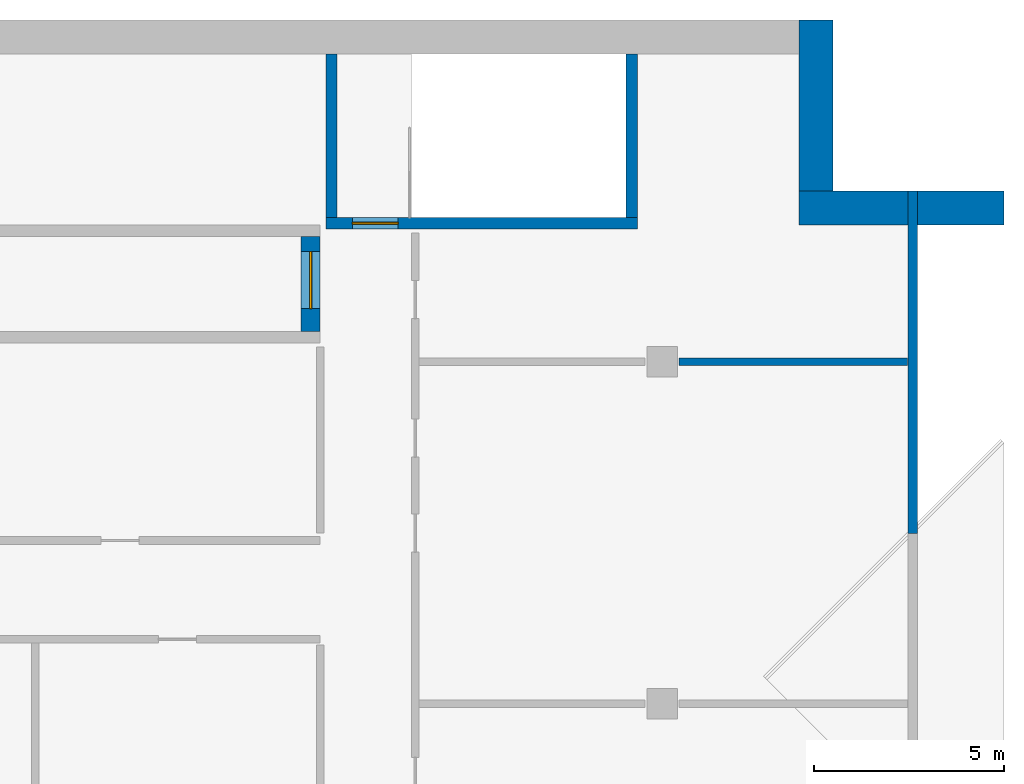
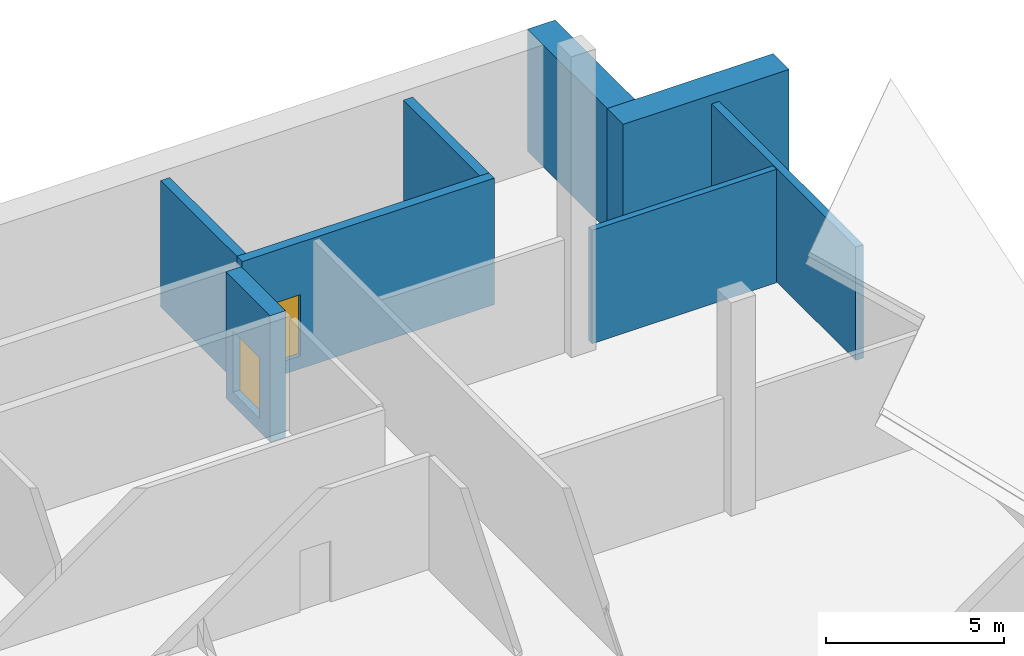
# One storey, part 4 of 5: 8 walls, 2 doors, 2 openings.
"""IFC4 building model written with IfcOpenShell, lengths in metres."""

import ifcopenshell
import ifcopenshell.guid

model = None  # the IFC model being written
_history = None  # IfcOwnerHistory: only IFC2X3 demands one
_inside = {}  # id of a spatial element -> (the spatial element, [elements in it])
_under = {}  # id of a project, library or spatial element -> (it, [spatial elements below it])
_declared = {}  # id of a project -> (the project, [libraries it declares])
_typed = {}  # id of a type object -> (the type object, [elements of that type])
_made_of = {}  # id of a material, layer set ... -> (it, [elements and type objects made of it])


def new_model(schema):
    """Start an empty IFC model of exactly this schema.

    Asked for "IFC4X3", IfcOpenShell would pick the latest addendum, in which some entities
    have other attributes; the version numbers below select the first issue.
    IFC2X3 requires an IfcOwnerHistory on every rooted entity: one is made here for all.
    """
    global model, _history
    if schema == "IFC4X3":
        model = ifcopenshell.file(schema_version=(4, 3, 0, 0))
    else:
        model = ifcopenshell.file(schema=schema)
    _inside.clear()
    _under.clear()
    _declared.clear()
    _typed.clear()
    _made_of.clear()
    _history = None
    if model.schema == "IFC2X3":
        org = make("IfcOrganization", Name="unknown")
        user = make(
            "IfcPersonAndOrganization",
            ThePerson=make("IfcPerson", FamilyName="unknown"),
            TheOrganization=org,
        )
        app = make(
            "IfcApplication",
            ApplicationDeveloper=org,
            Version="unknown",
            ApplicationFullName="unknown",
            ApplicationIdentifier="unknown",
        )
        _history = make(
            "IfcOwnerHistory",
            OwningUser=user,
            OwningApplication=app,
            ChangeAction="ADDED",
            CreationDate=0,
        )
    return model


def make(cls, **values):
    """One entity of the class cls with the attributes given. An attribute that is None is left unset."""
    return model.create_entity(
        cls, **{name: value for name, value in values.items() if value is not None}
    )


def rooted(cls, **values):
    """An entity with a GlobalId (a new one), such as an element, a storey or a relation."""
    return make(cls, GlobalId=ifcopenshell.guid.new(), OwnerHistory=_history, **values)


def si_unit(unit_type, name, prefix=None):
    """IfcSIUnit, for example si_unit("LENGTHUNIT", "METRE", prefix="MILLI")."""
    return make("IfcSIUnit", UnitType=unit_type, Prefix=prefix, Name=name)


def assignment(units):
    """IfcUnitAssignment: the units of a project."""
    return None if units is None else make("IfcUnitAssignment", Units=units)


def point(xyz):
    """IfcCartesianPoint."""
    return None if xyz is None else make("IfcCartesianPoint", Coordinates=xyz)


def direction(xyz):
    """IfcDirection."""
    return None if xyz is None else make("IfcDirection", DirectionRatios=xyz)


def frame(location, z_axis=None, x_axis=None):
    """IfcAxis2Placement3D, a coordinate frame: its origin and axes. An axis left out is left unset."""
    return make(
        "IfcAxis2Placement3D",
        Location=point(location),
        Axis=direction(z_axis),
        RefDirection=direction(x_axis),
    )


def frame_2d(location, x_axis=None):
    """IfcAxis2Placement2D, a coordinate frame in the plane: its origin and x axis."""
    return make(
        "IfcAxis2Placement2D", Location=point(location), RefDirection=direction(x_axis)
    )


def origin():
    """The frame at (0, 0, 0) with its axes left unset."""
    return frame((0.0, 0.0, 0.0))


def place(relative_to, where):
    """IfcLocalPlacement: puts the frame where relative to a parent placement (None: the world)."""
    return make(
        "IfcLocalPlacement", PlacementRelTo=relative_to, RelativePlacement=where
    )


def context(
    kind, dimensions, precision=None, world=None, true_north=None, identifier=None
):
    """IfcGeometricRepresentationContext, for example the 3D "Model" context."""
    return make(
        "IfcGeometricRepresentationContext",
        ContextIdentifier=identifier,
        ContextType=kind,
        CoordinateSpaceDimension=dimensions,
        Precision=precision,
        WorldCoordinateSystem=world,
        TrueNorth=true_north,
    )


def subcontext(parent, identifier, kind, view, scale=None):
    """IfcGeometricRepresentationSubContext, for example "Body" below "Model"."""
    return make(
        "IfcGeometricRepresentationSubContext",
        ContextIdentifier=identifier,
        ContextType=kind,
        ParentContext=parent,
        TargetScale=scale,
        TargetView=view,
    )


def project(units=None, contexts=None):
    """IfcProject with its units and contexts."""
    return rooted(
        "IfcProject",
        Name="project",
        RepresentationContexts=contexts,
        UnitsInContext=assignment(units),
    )


def spatial(cls, under=None, at=None, **own):
    """A site, building, storey or space (cls), placed at a placement, below another one or the project."""
    s = rooted(cls, ObjectPlacement=at, **own)
    if under is not None:
        _under.setdefault(under.id(), (under, []))[1].append(s)
    return s


def polyline(points):
    """IfcPolyline through the points."""
    return make("IfcPolyline", Points=[point(p) for p in points])


def profile(cls, at=None, kind="AREA", **sizes):
    """A parametric profile (cls). Its sizes go by their IFC names, for example OverallWidth=200.0."""
    return make(cls, ProfileType=kind, Position=at, **sizes)


def rectangle(**sizes):
    """IfcRectangleProfileDef."""
    return profile("IfcRectangleProfileDef", **sizes)


def outline(outer, holes=None, kind="AREA"):
    """IfcArbitraryClosedProfileDef: a profile drawn as a closed curve; with holes, ...WithVoids."""
    if holes is None:
        return make("IfcArbitraryClosedProfileDef", ProfileType=kind, OuterCurve=outer)
    return make(
        "IfcArbitraryProfileDefWithVoids",
        ProfileType=kind,
        OuterCurve=outer,
        InnerCurves=holes,
    )


def extrude(swept, where, along, depth):
    """IfcExtrudedAreaSolid: the profile swept, set in the frame where, extruded along a direction by depth."""
    return make(
        "IfcExtrudedAreaSolid",
        SweptArea=swept,
        Position=where,
        ExtrudedDirection=direction(along),
        Depth=depth,
    )


def shape(context_of_items, identifier, shape_type, items):
    """IfcShapeRepresentation: the items that make up one representation, for example the "Body"."""
    return make(
        "IfcShapeRepresentation",
        ContextOfItems=context_of_items,
        RepresentationIdentifier=identifier,
        RepresentationType=shape_type,
        Items=items,
    )


def material(Name=None, Category=None):
    """IfcMaterial."""
    return make("IfcMaterial", Name=Name, Category=Category)


def layer(
    of_material, thickness, ventilated=None, Name=None, Category=None, Priority=None
):
    """IfcMaterialLayer: one layer of a wall or slab, of a material (None: an air gap)."""
    return make(
        "IfcMaterialLayer",
        Material=of_material,
        LayerThickness=thickness,
        IsVentilated=ventilated,
        Name=Name,
        Category=Category,
        Priority=Priority,
    )


def layer_set(layers, Name=None):
    """IfcMaterialLayerSet."""
    return make("IfcMaterialLayerSet", MaterialLayers=layers, LayerSetName=Name)


def made_of(thing, what):
    """Note that an element or type object is made of a material, layer set ...; save() writes the relation."""
    if what is not None:
        _made_of.setdefault(what.id(), (what, []))[1].append(thing)
    return thing


def type_object(cls, material=None, **own):
    """A type object (cls), such as IfcWallType, which elements share."""
    return made_of(rooted(cls, **own), material)


def element(
    cls,
    number,
    at=None,
    inside=None,
    cuts=None,
    type_object=None,
    material=None,
    context=None,
    identifier="Body",
    shape_type=None,
    held_by="IfcProductDefinitionShape",
    body=None,
    shapes=None,
    **own,
):
    """One element of the class cls, such as IfcWall. Its Tag is "e" and its number.

    at: its placement. inside: the storey or other place that contains it. cuts: it is an
    opening in that element (IfcRelVoidsElement). A single representation is given by context,
    identifier, shape_type and body (its items); several are given by shapes. held_by: the class
    of the entity that holds the representations. save() writes the other relations.
    """
    e = rooted(cls, Tag="e%d" % number, ObjectPlacement=at, **own)
    if body is not None:
        shapes = [shape(context, identifier, shape_type, body)]
    if shapes is not None:
        e.Representation = make(held_by, Representations=shapes)
    if inside is not None:
        _inside.setdefault(inside.id(), (inside, []))[1].append(e)
    if cuts is not None:
        rooted(
            "IfcRelVoidsElement", RelatingBuildingElement=cuts, RelatedOpeningElement=e
        )
    if type_object is not None:
        _typed.setdefault(type_object.id(), (type_object, []))[1].append(e)
    return made_of(e, material)


def fill(opening, filler):
    """IfcRelFillsElement: the door or window that sits in an opening."""
    return rooted(
        "IfcRelFillsElement",
        RelatingOpeningElement=opening,
        RelatedBuildingElement=filler,
    )


def aggregate(whole, parts):
    """IfcRelAggregates: a whole, such as a stair, and the parts it consists of."""
    return rooted("IfcRelAggregates", RelatingObject=whole, RelatedObjects=parts)


def save(model, path):
    """Write the relations noted so far, then the file.

    IfcRelAggregates (storeys below a building ...), IfcRelContainedInSpatialStructure (elements
    in a storey), IfcRelDefinesByType, IfcRelAssociatesMaterial and IfcRelDeclares: one each for
    every whole, place, type object, material and project.
    """
    for whole, parts in _under.values():
        aggregate(whole, parts)
    for where, things in _inside.values():
        rooted(
            "IfcRelContainedInSpatialStructure",
            RelatedElements=things,
            RelatingStructure=where,
        )
    for kind, things in _typed.values():
        rooted("IfcRelDefinesByType", RelatedObjects=things, RelatingType=kind)
    for what, things in _made_of.values():
        rooted("IfcRelAssociatesMaterial", RelatedObjects=things, RelatingMaterial=what)
    for by, libraries in _declared.values():
        rooted("IfcRelDeclares", RelatingContext=by, RelatedDefinitions=libraries)
    model.write(path)


model = new_model("IFC4")

# Units and contexts
model_context = context("Model", 3, precision=1e-05, world=origin(), true_north=direction((0.0, 1.0)))
body_context = subcontext(model_context, "Body", "Model", "MODEL_VIEW")
ifc_project = project(units=[si_unit("LENGTHUNIT", "METRE"), si_unit("AREAUNIT", "SQUARE_METRE"), si_unit("VOLUMEUNIT", "CUBIC_METRE"), si_unit("PLANEANGLEUNIT", "RADIAN"), si_unit("MASSUNIT", "GRAM", prefix="KILO")], contexts=[model_context])

# Site, building, storey
site_placement = place(None, origin())
site = spatial("IfcSite", under=ifc_project, at=site_placement, CompositionType="ELEMENT")
building_placement = place(site_placement, origin())
building = spatial("IfcBuilding", under=site, at=building_placement, Name="Hunhe Ridgeline Campus", CompositionType="ELEMENT")
storey_placement = place(building_placement, frame((0.0, 0.0, 307.199951171875)))
storey = spatial("IfcBuildingStorey", under=building, at=storey_placement, Name="L79 Crown", CompositionType="ELEMENT", Elevation=307.199951171875)

# Wall, opening, door
ifc_material_1 = material(Name="Concrete C50", Category="concrete")
ifc_layer_1 = layer(ifc_material_1, 0.5)
ifc_layer_set_1 = layer_set([ifc_layer_1], Name="Core wall 500 reinforced concrete C50")
wall_type_1 = type_object("IfcWallType", Name="Core wall 500 reinforced concrete C50", PredefinedType="SOLIDWALL", material=ifc_layer_set_1)
wall_1_placement = place(storey_placement, frame((35.75, 90.800048828125, -0.449951171875), z_axis=(0.0, 0.0, 1.0), x_axis=(0.0, 1.0, 0.0)))
wall_1 = element("IfcWall", 1, at=wall_1_placement, inside=storey, type_object=wall_type_1, Name="L79 Crown core wall 22", PredefinedType="SOLIDWALL", context=body_context, shape_type="SweptSolid", body=[
    extrude(rectangle(XDim=2.5, YDim=0.5, at=frame_2d((1.25, 0.0))), origin(), (0.0, 0.0, 1.0), 4.35009765625),
])
opening_1_placement = place(wall_1_placement, frame((0.60009765625, 0.0, 0.449951171875)))
opening_1 = element("IfcOpeningElement", 2, at=opening_1_placement, cuts=wall_1, Name="Opening CD5", PredefinedType="OPENING", context=body_context, shape_type="SweptSolid", body=[
    extrude(rectangle(XDim=1.5, YDim=2.10009765625, at=frame_2d((0.75, 1.050048828125))), frame((0.0, 0.25, 0.0), z_axis=(0.0, -1.0, 0.0), x_axis=(1.0, 0.0, 0.0)), (0.0, 0.0, 1.0), 0.5),
])
ifc_material_2 = material(Name="Solid core timber door leaf", Category="wood")
door_type_1 = type_object("IfcDoorType", Name="Timber door 1500x2100", OperationType="SINGLE_SWING_LEFT", PredefinedType="DOOR", material=ifc_material_2)
door_1_placement = place(opening_1_placement, frame((1.5, 0.0, 0.0), z_axis=(0.0, 0.0, 1.0), x_axis=(-1.0, 0.0, 0.0)))
door_1 = element("IfcDoor", 3, at=door_1_placement, inside=storey, type_object=door_type_1, Name="L79 Crown door C1-FLOOR", OperationType="SINGLE_SWING_RIGHT", OverallHeight=2.10009765625, OverallWidth=1.5, PredefinedType="DOOR", context=body_context, shape_type="SweptSolid", body=[
    extrude(rectangle(XDim=1.5, YDim=2.10009765625, at=frame_2d((0.75, 1.050048828125))), frame((0.0, 0.02490234375, 0.0), z_axis=(0.0, -1.0, 0.0), x_axis=(1.0, 0.0, 0.0)), (0.0, 0.0, 1.0), 0.050048828125),
])
fill(opening_1, door_1)

# Walls
ifc_material_3 = material(Name="Gypsum board partition")
ifc_layer_2 = layer(ifc_material_3, 0.199951171875)
ifc_layer_set_2 = layer_set([ifc_layer_2], Name="Corridor partition 200 gypsum board on steel studs")
wall_type_2 = type_object("IfcWallType", Name="Corridor partition 200 gypsum board on steel studs", PredefinedType="PARTITIONING", material=ifc_layer_set_2)
wall_2_placement = place(storey_placement, frame((45.449951171875, 90.0, 0.0), z_axis=(0.0, 0.0, 1.0), x_axis=(1.0, 0.0, 0.0)))
element("IfcWall", 4, at=wall_2_placement, inside=storey, type_object=wall_type_2, Name="F-L79 Crown-wall-020", PredefinedType="PARTITIONING", context=body_context, shape_type="SweptSolid", body=[
    extrude(rectangle(XDim=6.004150390625, YDim=0.199951171875, at=frame_2d((3.001953125, 0.0))), origin(), (0.0, 0.0, 1.0), 3.900146484375),
])
ifc_layer_3 = layer(ifc_material_1, 0.25)
ifc_layer_set_3 = layer_set([ifc_layer_3], Name="Crown cladding wall 250 Concrete C50")
wall_type_3 = type_object("IfcWallType", Name="Crown cladding wall 250 Concrete C50", PredefinedType="SOLIDWALL", material=ifc_layer_set_3)
wall_3_placement = place(storey_placement, frame((51.59912109375, 85.4775390625, 0.0), z_axis=(0.0, 0.0, 1.0), x_axis=(0.0, 1.0, 0.0)))
element("IfcWall", 5, at=wall_3_placement, inside=storey, type_object=wall_type_3, Name="Crown cladding wall", PredefinedType="SOLIDWALL", context=body_context, shape_type="SweptSolid", body=[
    extrude(rectangle(XDim=9.0224609375, YDim=0.25, at=frame_2d((4.51123046875, 0.0))), origin(), (0.0, 0.0, 1.0), 3.900146484375),
])
ifc_layer_4 = layer(ifc_material_1, 0.89990234375)
ifc_layer_set_4 = layer_set([ifc_layer_4], Name="Spine wall 900 Concrete C50")
wall_type_4 = type_object("IfcWallType", Name="Spine wall 900 Concrete C50", PredefinedType="SHEAR", material=ifc_layer_set_4)
for number, where, z_axis, x_axis, name in (
    (6, (54.0, 94.050048828125, 0.0), (0.0, 0.0, 1.0), (-1.0, 0.0, 0.0), "Spine wall SW4-2 L79 Crown"),
    (7, (49.050048828125, 93.60009765625, 0.0), (0.0, 0.0, 1.0), (0.0, 1.0, 0.0), "Spine wall SW4-3 L79 Crown"),
):
    element("IfcWall", number, at=place(storey_placement, frame(where, z_axis=z_axis, x_axis=x_axis)), inside=storey, type_object=wall_type_4, Name=name, PredefinedType="SHEAR", context=body_context, shape_type="SweptSolid", body=[
        extrude(outline(polyline([(0.0, 0.0), (5.39990234375, 0.0), (5.39990234375, 4.199951171875), (0.0, 4.199951171875), (0.0, 0.0)])), frame((0.0, 0.449951171875, 0.0), z_axis=(0.0, -1.0, 0.0), x_axis=(1.0, 0.0, 0.0)), (0.0, 0.0, 1.0), 0.89990234375),
    ])

# Wall, opening, door
ifc_layer_5 = layer(ifc_material_1, 0.300048828125)
ifc_layer_set_5 = layer_set([ifc_layer_5], Name="Stair wall 300 reinforced concrete C50")
wall_type_5 = type_object("IfcWallType", Name="Stair wall 300 reinforced concrete C50", PredefinedType="SOLIDWALL", material=ifc_layer_set_5)
wall_4_placement = place(storey_placement, frame((36.14990234375, 93.64990234375, -0.449951171875), z_axis=(0.0, 0.0, 1.0), x_axis=(1.0, 0.0, 0.0)))
wall_4 = element("IfcWall", 8, at=wall_4_placement, inside=storey, type_object=wall_type_5, Name="L79 Crown core wall 10", PredefinedType="SOLIDWALL", context=body_context, shape_type="SweptSolid", body=[
    extrude(rectangle(XDim=8.2001953125, YDim=0.300048828125, at=frame_2d((4.10009765625, 0.0))), origin(), (0.0, 0.0, 1.0), 4.35009765625),
])
opening_2_placement = place(wall_4_placement, frame((0.699951171875, 0.0, 0.449951171875)))
opening_2 = element("IfcOpeningElement", 9, at=opening_2_placement, cuts=wall_4, Name="Opening CD17", PredefinedType="OPENING", context=body_context, shape_type="SweptSolid", body=[
    extrude(rectangle(XDim=1.199951171875, YDim=2.10009765625, at=frame_2d((0.60009765625, 1.050048828125))), frame((0.0, 0.14990234375, 0.0), z_axis=(0.0, -1.0, 0.0), x_axis=(1.0, 0.0, 0.0)), (0.0, 0.0, 1.0), 0.300048828125),
])
ifc_material_4 = material(Name="Hollow metal fire door leaf")
door_type_2 = type_object("IfcDoorType", Name="Stair door 1200x2100 FD60", OperationType="SINGLE_SWING_LEFT", PredefinedType="DOOR", material=ifc_material_4)
door_2_placement = place(opening_2_placement, frame((1.199951171875, 0.0, 0.0), z_axis=(0.0, 0.0, 1.0), x_axis=(-1.0, 0.0, 0.0)))
door_2 = element("IfcDoor", 10, at=door_2_placement, inside=storey, type_object=door_type_2, Name="L79 Crown door E1", OperationType="SINGLE_SWING_LEFT", OverallHeight=2.10009765625, OverallWidth=1.199951171875, PredefinedType="DOOR", context=body_context, shape_type="SweptSolid", body=[
    extrude(rectangle(XDim=1.199951171875, YDim=2.10009765625, at=frame_2d((0.60009765625, 1.050048828125))), frame((0.0, 0.02490234375, 0.0), z_axis=(0.0, -1.0, 0.0), x_axis=(1.0, 0.0, 0.0)), (0.0, 0.0, 1.0), 0.050048828125),
])
fill(opening_2, door_2)

# Walls
for number, where, z_axis, x_axis, name in (
    (11, (36.300048828125, 93.800048828125, -0.449951171875), (0.0, 0.0, 1.0), (0.0, 1.0, 0.0), "L79 Crown core wall 23"),
    (12, (44.199951171875, 93.800048828125, -0.449951171875), (0.0, 0.0, 1.0), (0.0, 1.0, 0.0), "L79 Crown core wall 24"),
):
    element("IfcWall", number, at=place(storey_placement, frame(where, z_axis=z_axis, x_axis=x_axis)), inside=storey, type_object=wall_type_5, Name=name, PredefinedType="SOLIDWALL", context=body_context, shape_type="SweptSolid", body=[
        extrude(rectangle(XDim=4.300048828125, YDim=0.300048828125, at=frame_2d((2.14990234375, 0.0))), origin(), (0.0, 0.0, 1.0), 4.35009765625),
    ])

save(model, "model.ifc")
